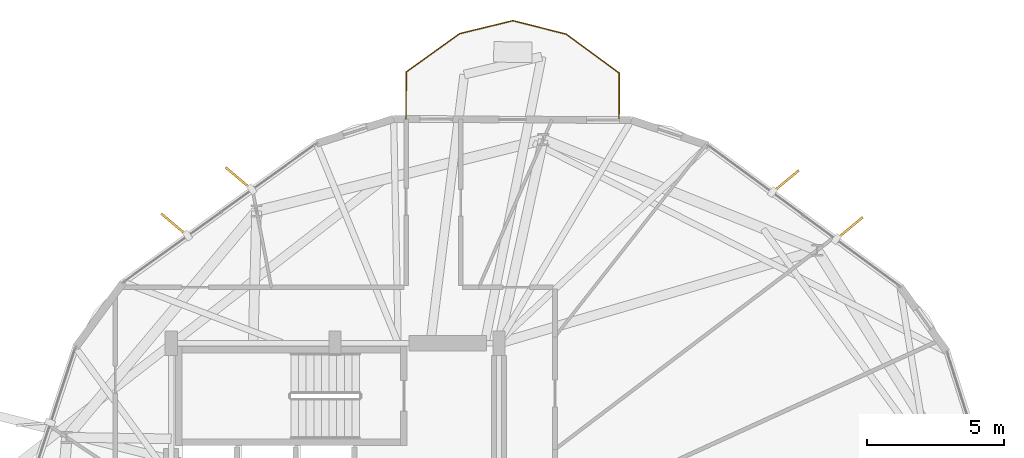
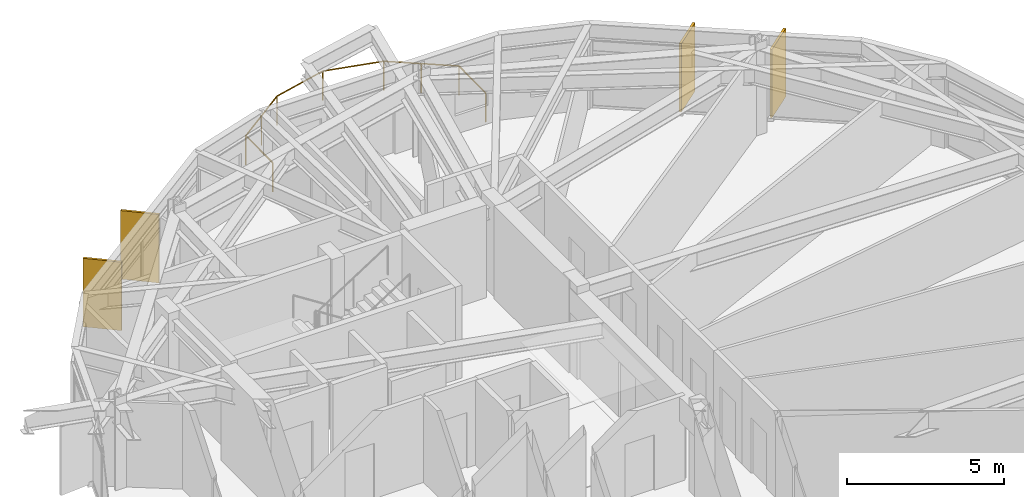
# One storey, part 24 of 24: 4 shading devices, 1 railing.
"""IFC4 building model written with IfcOpenShell, lengths in metres."""

from ifc_helpers import new_model, si_unit, direction, frame, origin, origin_2d, place, context, subcontext, project, spatial, rectangle, circle, extrude, material, layer, layer_set, type_object, element, save


model = new_model("IFC4")

# Units and contexts
model_context = context("Model", 3, precision=1e-05, world=origin(), true_north=direction((0.0, 1.0)))
body_context = subcontext(model_context, "Body", "Model", "MODEL_VIEW")
ifc_project = project(units=[si_unit("LENGTHUNIT", "METRE"), si_unit("AREAUNIT", "SQUARE_METRE"), si_unit("VOLUMEUNIT", "CUBIC_METRE"), si_unit("PLANEANGLEUNIT", "RADIAN"), si_unit("MASSUNIT", "GRAM", prefix="KILO")], contexts=[model_context])

# Site, building, storey
site_placement = place(None, origin())
site = spatial("IfcSite", under=ifc_project, at=site_placement, CompositionType="ELEMENT")
building_placement = place(site_placement, origin())
building = spatial("IfcBuilding", under=site, at=building_placement, Name="Soratama Intermodal Tower", CompositionType="ELEMENT")
storey_placement = place(building_placement, frame((0.0, 0.0, 164.199951171875)))
storey = spatial("IfcBuildingStorey", under=building, at=storey_placement, Name="L40", CompositionType="ELEMENT", Elevation=164.199951171875)

# Railing
ifc_material_1 = material(Name="Laminated glass and stainless steel balustrade", Category="steel")
railing_type = type_object("IfcRailingType", Name="RL-BAL-1150", PredefinedType="BALUSTRADE", material=ifc_material_1)
railing_placement = place(storey_placement, frame((41.194091796875, 43.212158203125, 0.0)))
element("IfcRailing", 1, at=railing_placement, inside=storey, type_object=railing_type, Name="L40 Balcony Balustrade 1", PredefinedType="BALUSTRADE", context=body_context, shape_type="SweptSolid", body=[
    extrude(circle(Radius=0.02392578125, at=origin_2d()), frame((0.0, 0.0, 1.1259765625), z_axis=(0.005109940382, 0.999986944169, 0.0), x_axis=(-0.999986944169, 0.005109940382, 0.0)), (0.0, 0.0, 1.0), 1.719970703125),
    extrude(circle(Radius=0.02392578125, at=origin_2d()), frame((0.0087890625, 1.719970703125, 1.1259765625), z_axis=(0.812465228873, 0.583009649896, 0.0), x_axis=(-0.583009649896, 0.812465228873, 0.0)), (0.0, 0.0, 1.0), 2.409912109375),
    extrude(circle(Radius=0.02392578125, at=origin_2d()), frame((1.966796875, 3.125, 1.1259765625), z_axis=(0.971728631222, 0.236100544819, 0.0), x_axis=(-0.236100544819, 0.971728631222, 0.0)), (0.0, 0.0, 1.0), 2.01025390625),
    extrude(circle(Radius=0.02392578125, at=origin_2d()), frame((3.920166015625, 3.599609375, 1.1259765625), z_axis=(0.969213746658, -0.246220862824, 0.0), x_axis=(0.246220862824, 0.969213746658, 0.0)), (0.0, 0.0, 1.0), 2.009765625),
    extrude(circle(Radius=0.02392578125, at=origin_2d()), frame((5.8681640625, 3.104736328125, 1.1259765625), z_axis=(0.806324477725, -0.591473445407, 0.0), x_axis=(0.591473445407, 0.806324477725, 0.0)), (0.0, 0.0, 1.0), 2.41015625),
    extrude(circle(Radius=0.02392578125, at=origin_2d()), frame((7.8115234375, 1.67919921875, 1.1259765625), z_axis=(-0.005251879308, -0.999986208787, 0.0), x_axis=(0.999986208787, -0.005251879308, 0.0)), (0.0, 0.0, 1.0), 1.719970703125),
    extrude(circle(Radius=0.02099609375, at=origin_2d()), origin(), (0.0, 0.0, 1.0), 1.101806640625),
    extrude(circle(Radius=0.02099609375, at=origin_2d()), frame((0.0087890625, 1.719970703125, 0.0)), (0.0, 0.0, 1.0), 1.101806640625),
    extrude(circle(Radius=0.02099609375, at=origin_2d()), frame((0.98779296875, 2.42236328125, 0.0)), (0.0, 0.0, 1.0), 1.101806640625),
    extrude(circle(Radius=0.02099609375, at=origin_2d()), frame((1.966796875, 3.125, 0.0)), (0.0, 0.0, 1.0), 1.101806640625),
    extrude(circle(Radius=0.02099609375, at=origin_2d()), frame((3.920166015625, 3.599609375, 0.0)), (0.0, 0.0, 1.0), 1.101806640625),
    extrude(circle(Radius=0.02099609375, at=origin_2d()), frame((5.8681640625, 3.104736328125, 0.0)), (0.0, 0.0, 1.0), 1.101806640625),
    extrude(circle(Radius=0.02099609375, at=origin_2d()), frame((6.83984375, 2.39208984375, 0.0)), (0.0, 0.0, 1.0), 1.101806640625),
    extrude(circle(Radius=0.02099609375, at=origin_2d()), frame((7.8115234375, 1.67919921875, 0.0)), (0.0, 0.0, 1.0), 1.101806640625),
    extrude(circle(Radius=0.02099609375, at=origin_2d()), frame((7.802490234375, -0.040771484375, 0.0)), (0.0, 0.0, 1.0), 1.101806640625),
])

# Shading devices
ifc_material_2 = material(Name="Champagne anodised aluminium solar fin", Category="aluminium")
ifc_layer = layer(ifc_material_2, 0.080078125)
ifc_layer_set = layer_set([ifc_layer], Name="Champagne anodised aluminium solar fin")
shading_device_type = type_object("IfcShadingDeviceType", Name="SH-FIN-1250", PredefinedType="USERDEFINED", material=ifc_layer_set)
for number, where, z_axis, x_axis, name in (
    (2, (57.43603515625, 39.2138671875, 0.02001953125), (0.0, 0.0, 1.0), (0.770624482513, 0.637289500111, 0.0), "L40 Solar Fin F01-1"),
    (3, (55.09814453125, 40.931396484375, 0.02001953125), (0.0, 0.0, 1.0), (0.770624482513, 0.637289500111, 0.0), "L40 Solar Fin F01-2"),
    (4, (35.0693359375, 41.0361328125, 0.02001953125), (0.0, 0.0, 1.0), (-0.763908670619, 0.645324370339, 0.0), "L40 Solar Fin F03-1"),
    (5, (32.71337890625, 39.34326171875, 0.02001953125), (0.0, 0.0, 1.0), (-0.763908670619, 0.645324370339, 0.0), "L40 Solar Fin F03-2"),
):
    element("IfcShadingDevice", number, at=place(storey_placement, frame(where, z_axis=z_axis, x_axis=x_axis)), inside=storey, type_object=shading_device_type, Name=name, ObjectType="FIN", PredefinedType="USERDEFINED", context=body_context, shape_type="SweptSolid", body=[
        extrude(rectangle(XDim=1.25, YDim=0.080078125, at=origin_2d()), origin(), (0.0, 0.0, 1.0), 2.658935546875),
    ])

save(model, "model.ifc")
